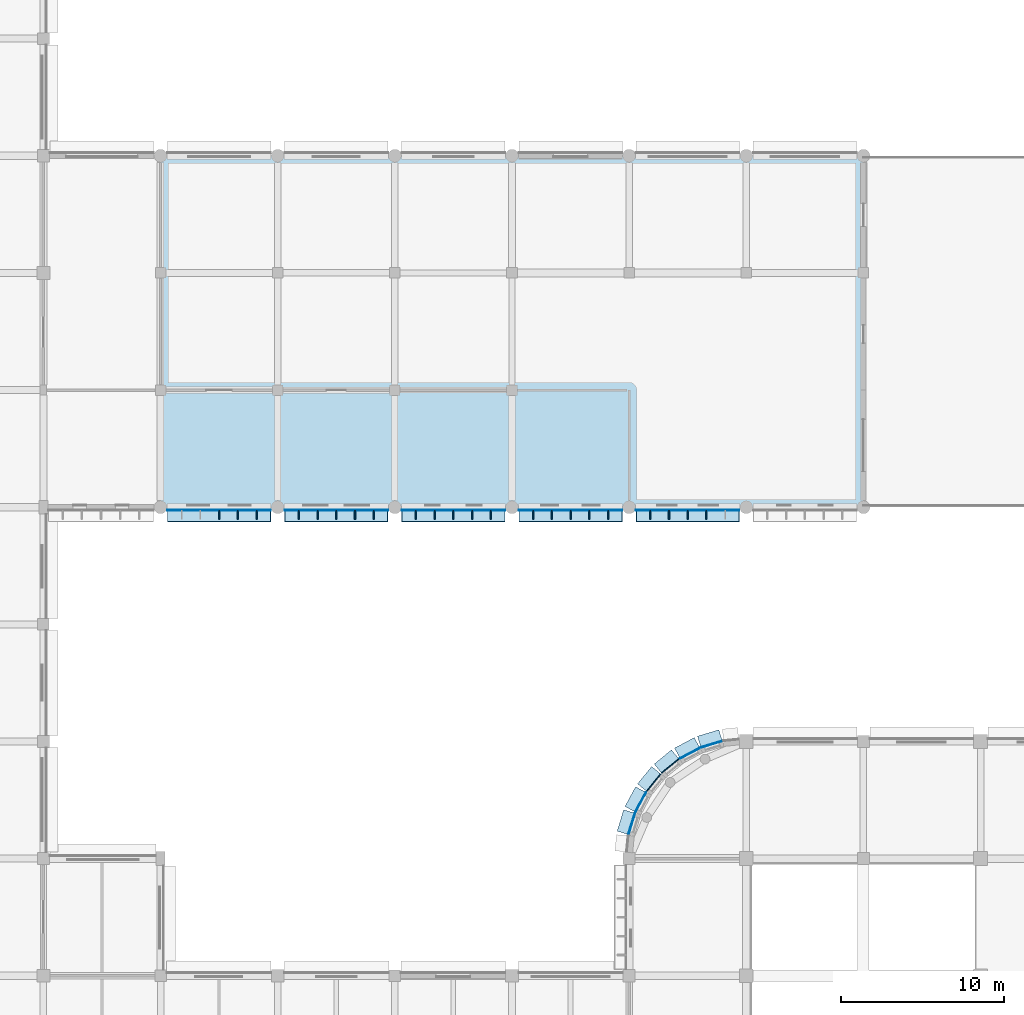
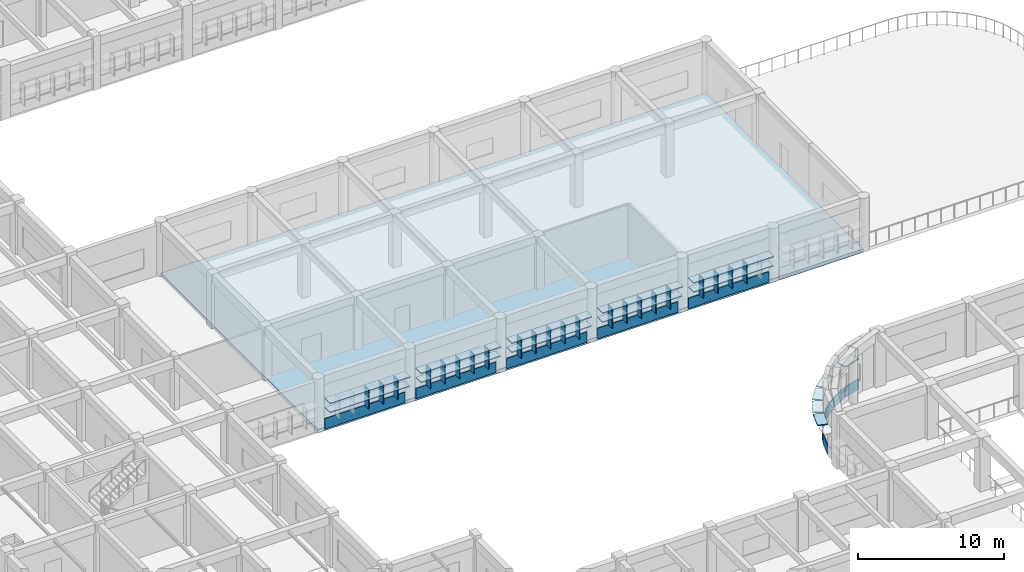
# One storey, part 19 of 61: 49 plates, 1 slab.
"""IFC4 building model written with IfcOpenShell, lengths in metres."""

from ifc_helpers import new_model, si_unit, direction, frame, origin, origin_2d, place, context, subcontext, project, spatial, polyline, rectangle, outline, extrude, material, layer, layer_set, type_object, element, save


model = new_model("IFC4")

# Units and contexts
model_context = context("Model", 3, precision=1e-05, world=origin(), true_north=direction((0.0, 1.0)))
body_context = subcontext(model_context, "Body", "Model", "MODEL_VIEW")
ifc_project = project(units=[si_unit("LENGTHUNIT", "METRE"), si_unit("AREAUNIT", "SQUARE_METRE"), si_unit("VOLUMEUNIT", "CUBIC_METRE"), si_unit("PLANEANGLEUNIT", "RADIAN"), si_unit("MASSUNIT", "GRAM", prefix="KILO")], contexts=[model_context])

# Site, building, storey
site_placement = place(None, origin())
site = spatial("IfcSite", under=ifc_project, at=site_placement, CompositionType="ELEMENT")
building_placement = place(site_placement, origin())
building = spatial("IfcBuilding", under=site, at=building_placement, Name="Thalmaran Polytechnic", CompositionType="ELEMENT")
storey_placement = place(building_placement, frame((0.0, 0.0, 9.89990234375)))
storey = spatial("IfcBuildingStorey", under=building, at=storey_placement, Name="L02", CompositionType="ELEMENT", Elevation=9.89990234375)

# Plates
ifc_material_1 = material(Name="Anodised aluminium spandrel band", Category="aluminium")
ifc_layer_1 = layer(ifc_material_1, 0.054931640625, Name="Anodised aluminium spandrel band")
ifc_layer_set_1 = layer_set([ifc_layer_1], Name="Anodised aluminium spandrel band")
plate_type_1 = type_object("IfcPlateType", Name="PT-BD01", PredefinedType="SHEET", material=ifc_layer_set_1)
for number, where, z_axis, x_axis, name in (
    (1, (61.199951171875, 50.205078125, 0.020263671875), (0.0, 0.0, 1.0), (-1.0, 0.0, 0.0), "Streamline Horizontal Spandrel Band L02-123"),
    (2, (54.0, 50.205078125, 0.020263671875), (0.0, 0.0, 1.0), (-1.0, 0.0, 0.0), "Streamline Horizontal Spandrel Band L02-124"),
    (3, (46.800048828125, 50.205078125, 0.020263671875), (0.0, 0.0, 1.0), (-1.0, 0.0, 0.0), "Streamline Horizontal Spandrel Band L02-125"),
    (4, (39.60009765625, 50.205078125, 0.020263671875), (0.0, 0.0, 1.0), (-1.0, 0.0, 0.0), "Streamline Horizontal Spandrel Band L02-126"),
    (5, (32.39990234375, 50.205078125, 0.020263671875), (0.0, 0.0, 1.0), (-1.0, 0.0, 0.0), "Streamline Horizontal Spandrel Band L02-127"),
):
    element("IfcPlate", number, at=place(storey_placement, frame(where, z_axis=z_axis, x_axis=x_axis)), inside=storey, type_object=plate_type_1, Name=name, PredefinedType="SHEET", context=body_context, shape_type="SweptSolid", body=[
        extrude(rectangle(XDim=6.360107421875, YDim=0.054931640625, at=origin_2d()), origin(), (0.0, 0.0, 1.0), 0.8798828125),
    ])
for number, where, z_axis, x_axis, name in (
    (6, (57.756591796875, 30.9365234375, 0.020263671875), (0.0, 0.0, 1.0), (0.290284677254, 0.956940335732, 0.0), "Streamline Horizontal Spandrel Band L02-140"),
    (7, (58.308837890625, 32.26953125, 0.020263671875), (0.0, 0.0, 1.0), (0.471396736826, 0.881921264348, 0.0), "Streamline Horizontal Spandrel Band L02-141"),
    (8, (59.1103515625, 33.46923828125, 0.020263671875), (0.0, 0.0, 1.0), (0.634393284164, 0.773010453363, 0.0), "Streamline Horizontal Spandrel Band L02-142"),
    (9, (60.130615234375, 34.489501953125, 0.020263671875), (0.0, 0.0, 1.0), (0.773010453363, 0.634393284164, 0.0), "Streamline Horizontal Spandrel Band L02-143"),
    (10, (61.33740234375, 35.278076171875, 0.020263671875), (0.0, 0.0, 1.0), (0.881921264348, 0.471396736826, 0.0), "Streamline Horizontal Spandrel Band L02-144"),
    (11, (62.667724609375, 35.8291015625, 0.020263671875), (0.0, 0.0, 1.0), (0.956940335732, 0.290284677254, 0.0), "Streamline Horizontal Spandrel Band L02-145"),
):
    element("IfcPlate", number, at=place(storey_placement, frame(where, z_axis=z_axis, x_axis=x_axis)), inside=storey, type_object=plate_type_1, Name=name, PredefinedType="SHEET", context=body_context, shape_type="SweptSolid", body=[
        extrude(rectangle(XDim=1.371337890625, YDim=0.054931640625, at=origin_2d()), origin(), (0.0, 0.0, 1.0), 0.8798828125),
    ])
ifc_material_2 = material(Name="Anodised aluminium sun-hood eyebrow", Category="aluminium")
ifc_layer_2 = layer(ifc_material_2, 0.0849609375, Name="Anodised aluminium sun-hood eyebrow")
ifc_layer_set_2 = layer_set([ifc_layer_2], Name="Anodised aluminium sun-hood eyebrow")
plate_type_2 = type_object("IfcPlateType", Name="PT-EB01", PredefinedType="SHEET", material=ifc_layer_set_2)
plate_1_placement = place(storey_placement, frame((61.199951171875, 49.860107421875, 2.517578125), z_axis=(0.0, 0.0, 1.0), x_axis=(-1.0, 0.0, 0.0)))
element("IfcPlate", 12, at=plate_1_placement, inside=storey, type_object=plate_type_2, Name="Streamline Sun-Hood Eyebrow L02-123", PredefinedType="SHEET", context=body_context, shape_type="SweptSolid", body=[
    extrude(rectangle(XDim=6.360107421875, YDim=0.760009765625, at=origin_2d()), origin(), (0.0, 0.0, 1.0), 0.0849609375),
])
plate_2_placement = place(storey_placement, frame((61.199951171875, 49.8798828125, 1.74267578125), z_axis=(0.0, 0.0, 1.0), x_axis=(-1.0, 0.0, 0.0)))
element("IfcPlate", 13, at=plate_2_placement, inside=storey, type_object=plate_type_2, Name="Abu Dhabi Horizontal Solar Louvre L02-123", PredefinedType="SHEET", context=body_context, shape_type="SweptSolid", body=[
    extrude(rectangle(XDim=6.320068359375, YDim=0.719970703125, at=origin_2d()), origin(), (0.0, 0.0, 1.0), 0.074951171875),
])
plate_3_placement = place(storey_placement, frame((54.0, 49.860107421875, 2.517578125), z_axis=(0.0, 0.0, 1.0), x_axis=(-1.0, 0.0, 0.0)))
element("IfcPlate", 14, at=plate_3_placement, inside=storey, type_object=plate_type_2, Name="Streamline Sun-Hood Eyebrow L02-124", PredefinedType="SHEET", context=body_context, shape_type="SweptSolid", body=[
    extrude(rectangle(XDim=6.360107421875, YDim=0.760009765625, at=origin_2d()), origin(), (0.0, 0.0, 1.0), 0.0849609375),
])
plate_4_placement = place(storey_placement, frame((54.0, 49.8798828125, 1.74267578125), z_axis=(0.0, 0.0, 1.0), x_axis=(-1.0, 0.0, 0.0)))
element("IfcPlate", 15, at=plate_4_placement, inside=storey, type_object=plate_type_2, Name="Abu Dhabi Horizontal Solar Louvre L02-124", PredefinedType="SHEET", context=body_context, shape_type="SweptSolid", body=[
    extrude(rectangle(XDim=6.320068359375, YDim=0.719970703125, at=origin_2d()), origin(), (0.0, 0.0, 1.0), 0.074951171875),
])
plate_5_placement = place(storey_placement, frame((46.800048828125, 49.860107421875, 2.517578125), z_axis=(0.0, 0.0, 1.0), x_axis=(-1.0, 0.0, 0.0)))
element("IfcPlate", 16, at=plate_5_placement, inside=storey, type_object=plate_type_2, Name="Streamline Sun-Hood Eyebrow L02-125", PredefinedType="SHEET", context=body_context, shape_type="SweptSolid", body=[
    extrude(rectangle(XDim=6.360107421875, YDim=0.760009765625, at=origin_2d()), origin(), (0.0, 0.0, 1.0), 0.0849609375),
])
plate_6_placement = place(storey_placement, frame((46.800048828125, 49.8798828125, 1.74267578125), z_axis=(0.0, 0.0, 1.0), x_axis=(-1.0, 0.0, 0.0)))
element("IfcPlate", 17, at=plate_6_placement, inside=storey, type_object=plate_type_2, Name="Abu Dhabi Horizontal Solar Louvre L02-125", PredefinedType="SHEET", context=body_context, shape_type="SweptSolid", body=[
    extrude(rectangle(XDim=6.320068359375, YDim=0.719970703125, at=origin_2d()), origin(), (0.0, 0.0, 1.0), 0.074951171875),
])
plate_7_placement = place(storey_placement, frame((39.60009765625, 49.860107421875, 2.517578125), z_axis=(0.0, 0.0, 1.0), x_axis=(-1.0, 0.0, 0.0)))
element("IfcPlate", 18, at=plate_7_placement, inside=storey, type_object=plate_type_2, Name="Streamline Sun-Hood Eyebrow L02-126", PredefinedType="SHEET", context=body_context, shape_type="SweptSolid", body=[
    extrude(rectangle(XDim=6.360107421875, YDim=0.760009765625, at=origin_2d()), origin(), (0.0, 0.0, 1.0), 0.0849609375),
])
plate_8_placement = place(storey_placement, frame((39.60009765625, 49.8798828125, 1.74267578125), z_axis=(0.0, 0.0, 1.0), x_axis=(-1.0, 0.0, 0.0)))
element("IfcPlate", 19, at=plate_8_placement, inside=storey, type_object=plate_type_2, Name="Abu Dhabi Horizontal Solar Louvre L02-126", PredefinedType="SHEET", context=body_context, shape_type="SweptSolid", body=[
    extrude(rectangle(XDim=6.320068359375, YDim=0.719970703125, at=origin_2d()), origin(), (0.0, 0.0, 1.0), 0.074951171875),
])
plate_9_placement = place(storey_placement, frame((32.39990234375, 49.860107421875, 2.517578125), z_axis=(0.0, 0.0, 1.0), x_axis=(-1.0, 0.0, 0.0)))
element("IfcPlate", 20, at=plate_9_placement, inside=storey, type_object=plate_type_2, Name="Streamline Sun-Hood Eyebrow L02-127", PredefinedType="SHEET", context=body_context, shape_type="SweptSolid", body=[
    extrude(rectangle(XDim=6.360107421875, YDim=0.760009765625, at=origin_2d()), origin(), (0.0, 0.0, 1.0), 0.0849609375),
])
plate_10_placement = place(storey_placement, frame((32.39990234375, 49.8798828125, 1.74267578125), z_axis=(0.0, 0.0, 1.0), x_axis=(-1.0, 0.0, 0.0)))
element("IfcPlate", 21, at=plate_10_placement, inside=storey, type_object=plate_type_2, Name="Abu Dhabi Horizontal Solar Louvre L02-127", PredefinedType="SHEET", context=body_context, shape_type="SweptSolid", body=[
    extrude(rectangle(XDim=6.320068359375, YDim=0.719970703125, at=origin_2d()), origin(), (0.0, 0.0, 1.0), 0.074951171875),
])
for number, where, z_axis, x_axis, name in (
    (22, (57.426513671875, 31.03662109375, 2.517578125), (0.0, 0.0, 1.0), (0.290284677254, 0.956940335732, 0.0), "Streamline Sun-Hood Eyebrow L02-140"),
    (23, (58.00439453125, 32.432373046875, 2.517578125), (0.0, 0.0, 1.0), (0.471396736826, 0.881921264348, 0.0), "Streamline Sun-Hood Eyebrow L02-141"),
    (24, (58.84375, 33.688232421875, 2.517578125), (0.0, 0.0, 1.0), (0.634393284164, 0.773010453363, 0.0), "Streamline Sun-Hood Eyebrow L02-142"),
    (25, (59.911865234375, 34.75634765625, 2.517578125), (0.0, 0.0, 1.0), (0.773010453363, 0.634393284164, 0.0), "Streamline Sun-Hood Eyebrow L02-143"),
    (26, (61.1748046875, 35.582275390625, 2.517578125), (0.0, 0.0, 1.0), (0.881921264348, 0.471396736826, 0.0), "Streamline Sun-Hood Eyebrow L02-144"),
    (27, (62.567626953125, 36.1591796875, 2.517578125), (0.0, 0.0, 1.0), (0.956940335732, 0.290284677254, 0.0), "Streamline Sun-Hood Eyebrow L02-145"),
):
    element("IfcPlate", number, at=place(storey_placement, frame(where, z_axis=z_axis, x_axis=x_axis)), inside=storey, type_object=plate_type_2, Name=name, PredefinedType="SHEET", context=body_context, shape_type="SweptSolid", body=[
        extrude(rectangle(XDim=1.371337890625, YDim=0.760009765625, at=origin_2d()), origin(), (0.0, 0.0, 1.0), 0.0849609375),
    ])
ifc_material_3 = material(Name="Anodised bronze brise-soleil fin")
ifc_layer_3 = layer(ifc_material_3, 0.06494140625, Name="Anodised bronze brise-soleil fin")
ifc_layer_set_3 = layer_set([ifc_layer_3], Name="Anodised bronze brise-soleil fin")
plate_type_3 = type_object("IfcPlateType", Name="PT-FN01", PredefinedType="SHEET", material=ifc_layer_set_3)
for number, where, z_axis, x_axis, name in (
    (28, (62.35205078125, 49.93994140625, 0.895263671875), (0.0, 0.0, 1.0), (-1.0, 0.0, 0.0), "Abu Dhabi Solar Brise-Soleil Fin L02-123-2"),
    (29, (61.199951171875, 49.93994140625, 0.895263671875), (0.0, 0.0, 1.0), (-1.0, 0.0, 0.0), "Abu Dhabi Solar Brise-Soleil Fin L02-123-3"),
    (30, (60.048095703125, 49.93994140625, 0.895263671875), (0.0, 0.0, 1.0), (-1.0, 0.0, 0.0), "Abu Dhabi Solar Brise-Soleil Fin L02-123-4"),
    (31, (58.89599609375, 49.93994140625, 0.895263671875), (0.0, 0.0, 1.0), (-1.0, 0.0, 0.0), "Abu Dhabi Solar Brise-Soleil Fin L02-123-5"),
    (32, (56.303955078125, 49.93994140625, 0.895263671875), (0.0, 0.0, 1.0), (-1.0, 0.0, 0.0), "Abu Dhabi Solar Brise-Soleil Fin L02-124-1"),
    (33, (55.152099609375, 49.93994140625, 0.895263671875), (0.0, 0.0, 1.0), (-1.0, 0.0, 0.0), "Abu Dhabi Solar Brise-Soleil Fin L02-124-2"),
    (34, (54.0, 49.93994140625, 0.895263671875), (0.0, 0.0, 1.0), (-1.0, 0.0, 0.0), "Abu Dhabi Solar Brise-Soleil Fin L02-124-3"),
    (35, (52.847900390625, 49.93994140625, 0.895263671875), (0.0, 0.0, 1.0), (-1.0, 0.0, 0.0), "Abu Dhabi Solar Brise-Soleil Fin L02-124-4"),
    (36, (51.696044921875, 49.93994140625, 0.895263671875), (0.0, 0.0, 1.0), (-1.0, 0.0, 0.0), "Abu Dhabi Solar Brise-Soleil Fin L02-124-5"),
    (37, (49.10400390625, 49.93994140625, 0.895263671875), (0.0, 0.0, 1.0), (-1.0, 0.0, 0.0), "Abu Dhabi Solar Brise-Soleil Fin L02-125-1"),
    (38, (47.951904296875, 49.93994140625, 0.895263671875), (0.0, 0.0, 1.0), (-1.0, 0.0, 0.0), "Abu Dhabi Solar Brise-Soleil Fin L02-125-2"),
    (39, (46.800048828125, 49.93994140625, 0.895263671875), (0.0, 0.0, 1.0), (-1.0, 0.0, 0.0), "Abu Dhabi Solar Brise-Soleil Fin L02-125-3"),
    (40, (45.64794921875, 49.93994140625, 0.895263671875), (0.0, 0.0, 1.0), (-1.0, 0.0, 0.0), "Abu Dhabi Solar Brise-Soleil Fin L02-125-4"),
    (41, (44.49609375, 49.93994140625, 0.895263671875), (0.0, 0.0, 1.0), (-1.0, 0.0, 0.0), "Abu Dhabi Solar Brise-Soleil Fin L02-125-5"),
    (42, (41.904052734375, 49.93994140625, 0.895263671875), (0.0, 0.0, 1.0), (-1.0, 0.0, 0.0), "Abu Dhabi Solar Brise-Soleil Fin L02-126-1"),
    (43, (40.751953125, 49.93994140625, 0.895263671875), (0.0, 0.0, 1.0), (-1.0, 0.0, 0.0), "Abu Dhabi Solar Brise-Soleil Fin L02-126-2"),
    (44, (39.60009765625, 49.93994140625, 0.895263671875), (0.0, 0.0, 1.0), (-1.0, 0.0, 0.0), "Abu Dhabi Solar Brise-Soleil Fin L02-126-3"),
    (45, (38.447998046875, 49.93994140625, 0.895263671875), (0.0, 0.0, 1.0), (-1.0, 0.0, 0.0), "Abu Dhabi Solar Brise-Soleil Fin L02-126-4"),
    (46, (37.2958984375, 49.93994140625, 0.895263671875), (0.0, 0.0, 1.0), (-1.0, 0.0, 0.0), "Abu Dhabi Solar Brise-Soleil Fin L02-126-5"),
    (47, (34.7041015625, 49.93994140625, 0.895263671875), (0.0, 0.0, 1.0), (-1.0, 0.0, 0.0), "Abu Dhabi Solar Brise-Soleil Fin L02-127-1"),
    (48, (33.552001953125, 49.93994140625, 0.895263671875), (0.0, 0.0, 1.0), (-1.0, 0.0, 0.0), "Abu Dhabi Solar Brise-Soleil Fin L02-127-2"),
    (49, (32.39990234375, 49.93994140625, 0.895263671875), (0.0, 0.0, 1.0), (-1.0, 0.0, 0.0), "Abu Dhabi Solar Brise-Soleil Fin L02-127-3"),
):
    element("IfcPlate", number, at=place(storey_placement, frame(where, z_axis=z_axis, x_axis=x_axis)), inside=storey, type_object=plate_type_3, Name=name, PredefinedType="SHEET", context=body_context, shape_type="SweptSolid", body=[
        extrude(rectangle(XDim=0.06494140625, YDim=0.56005859375, at=origin_2d()), origin(), (0.0, 0.0, 1.0), 1.64990234375),
    ])

# Slab
ifc_material_4 = material(Name="Concrete C40/50", Category="concrete")
ifc_layer_4 = layer(ifc_material_4, 0.2900390625, Name="Concrete C40/50")
ifc_layer_set_4 = layer_set([ifc_layer_4], Name="Concrete C40/50")
slab_type = type_object("IfcSlabType", Name="SL-FL04", PredefinedType="FLOOR", material=ifc_layer_set_4)
slab_placement = place(storey_placement, frame((0.0, 0.0, -0.289794921875)))
element("IfcSlab", 50, at=slab_placement, inside=storey, type_object=slab_type, Name="V6 L02 Structural Slab", PredefinedType="FLOOR", context=body_context, shape_type="SweptSolid", body=[
    extrude(outline(polyline([(28.800048828125, 72.0), (36.0, 72.0), (43.199951171875, 72.0), (50.39990234375, 72.0), (57.60009765625, 72.0), (64.800048828125, 72.0), (72.0, 72.0), (72.0, 64.800048828125), (72.0, 57.60009765625), (72.0, 50.39990234375), (64.800048828125, 50.39990234375), (57.60009765625, 50.39990234375), (50.39990234375, 50.39990234375), (43.199951171875, 50.39990234375), (36.0, 50.39990234375), (28.800048828125, 50.39990234375), (28.800048828125, 57.60009765625), (28.800048828125, 64.800048828125), (28.800048828125, 72.0)])), origin(), (0.0, 0.0, 1.0), 0.289794921875),
])

save(model, "model.ifc")
